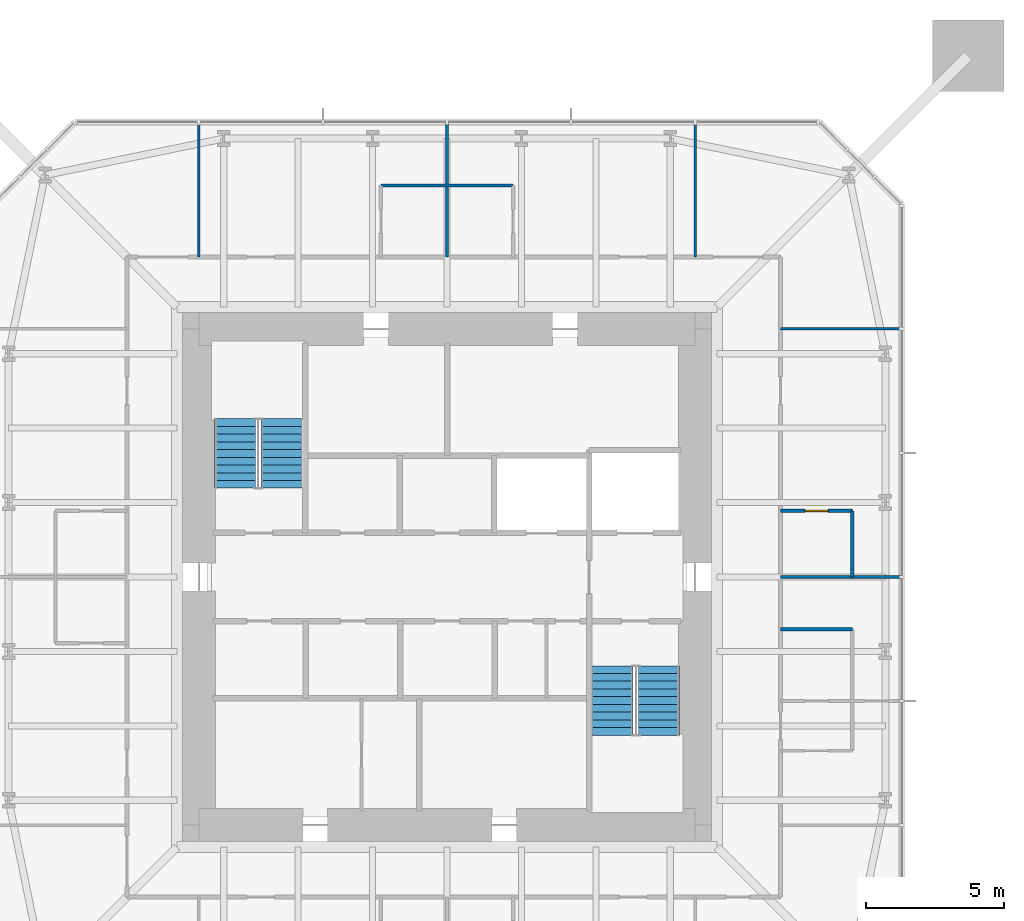
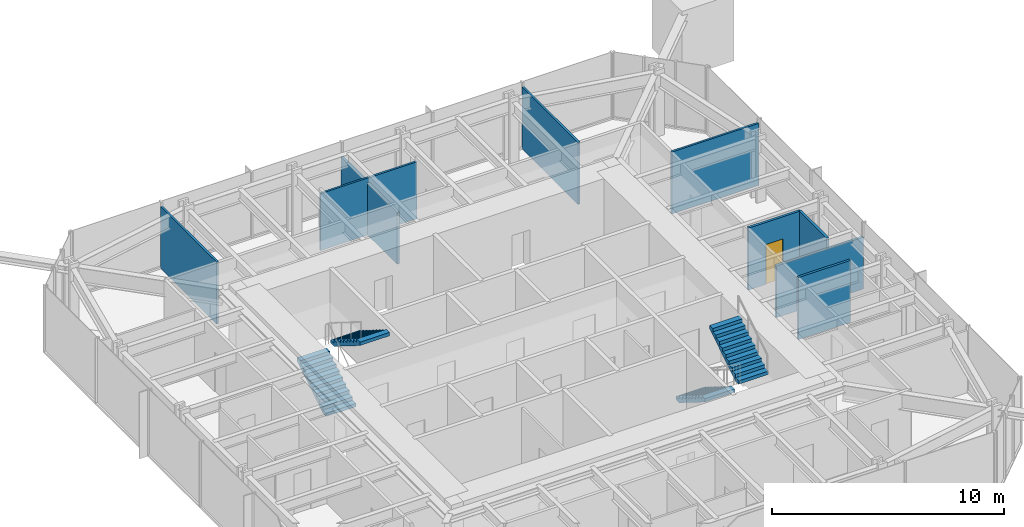
# One storey, part 8 of 9: 9 walls, 4 stair flights, 1 door, 1 opening, 2 elements without a shape of their own.
"""IFC4 building model written with IfcOpenShell, lengths in metres."""

from ifc_helpers import new_model, si_unit, direction, frame, frame_2d, origin, place, context, subcontext, project, spatial, polyline, rectangle, outline, extrude, material, layer, layer_set, constituent, constituent_set, type_object, element, fill, aggregate, save


model = new_model("IFC4")

# Units and contexts
model_context = context("Model", 3, precision=1e-05, world=origin(), true_north=direction((0.0, 1.0)))
body_context = subcontext(model_context, "Body", "Model", "MODEL_VIEW")
ifc_project = project(units=[si_unit("LENGTHUNIT", "METRE"), si_unit("AREAUNIT", "SQUARE_METRE"), si_unit("VOLUMEUNIT", "CUBIC_METRE"), si_unit("PLANEANGLEUNIT", "RADIAN"), si_unit("MASSUNIT", "GRAM", prefix="KILO")], contexts=[model_context])

# Site, building, storey
site_placement = place(None, origin())
site = spatial("IfcSite", under=ifc_project, at=site_placement, CompositionType="ELEMENT")
building_placement = place(site_placement, origin())
building = spatial("IfcBuilding", under=site, at=building_placement, Name="Iwan Alto Co-Living Towers", CompositionType="ELEMENT")
storey_placement = place(building_placement, frame((0.0, 0.0, 250.0)))
storey = spatial("IfcBuildingStorey", under=building, at=storey_placement, Name="L68", CompositionType="ELEMENT", Elevation=250.0)

# Walls
ifc_material_1 = material(Name="Gypsum board")
ifc_layer_1 = layer(ifc_material_1, 0.012451171875, Name="Board", Category="Finish")
ifc_material_2 = material(Name="Steel ASTM A1003 ST33H cold-formed studs", Category="steel")
ifc_layer_2 = layer(ifc_material_2, 0.074951171875, Name="Studs", Category="Framing")
ifc_layer_3 = layer(ifc_material_1, 0.012451171875, Name="Board", Category="Finish")
ifc_layer_set_1 = layer_set([ifc_layer_1, ifc_layer_2, ifc_layer_3], Name="PARTITION 100")
wall_type_1 = type_object("IfcWallType", Name="PARTITION 100", PredefinedType="PARTITIONING", material=ifc_layer_set_1)
wall_1_placement = place(storey_placement, frame((12.10009765625, 9.0, 0.0), z_axis=(0.0, 0.0, 1.0), x_axis=(1.0, 0.0, 0.0)))
element("IfcWall", 1, at=wall_1_placement, inside=storey, type_object=wall_type_1, Name="Partition L68", PredefinedType="PARTITIONING", context=body_context, shape_type="SweptSolid", body=[
    extrude(rectangle(XDim=4.33984375, YDim=0.10009765625, at=frame_2d((2.169921875, 0.0))), origin(), (0.0, 0.0, 1.0), 3.27001953125),
])
wall_2_placement = place(storey_placement, frame((-2.39990234375, 14.199951171875, 0.0), z_axis=(0.0, 0.0, 1.0), x_axis=(1.0, 0.0, 0.0)))
element("IfcWall", 2, at=wall_2_placement, inside=storey, type_object=wall_type_1, Name="Partition L68", PredefinedType="PARTITIONING", context=body_context, shape_type="SweptSolid", body=[
    extrude(rectangle(XDim=4.7998046875, YDim=0.10009765625, at=frame_2d((2.39990234375, 0.0))), origin(), (0.0, 0.0, 1.0), 3.0),
])
for number, where, z_axis, x_axis, name in (
    (3, (9.0, 11.60009765625, 0.0), (0.0, 0.0, 1.0), (0.0, 1.0, 0.0), "Partition L68"),
    (4, (-9.0, 11.60009765625, 0.0), (0.0, 0.0, 1.0), (0.0, 1.0, 0.0), "Partition L68"),
):
    element("IfcWall", number, at=place(storey_placement, frame(where, z_axis=z_axis, x_axis=x_axis)), inside=storey, type_object=wall_type_1, Name=name, PredefinedType="PARTITIONING", context=body_context, shape_type="SweptSolid", body=[
        extrude(rectangle(XDim=4.83984375, YDim=0.10009765625, at=frame_2d((2.419921875, 0.0))), origin(), (0.0, 0.0, 1.0), 3.27001953125),
    ])
ifc_material_3 = material(Name="Cement board")
ifc_layer_4 = layer(ifc_material_3, 0.012451171875, Name="Board", Category="Finish")
ifc_layer_5 = layer(ifc_material_2, 0.094970703125, Name="Studs", Category="Framing")
ifc_layer_6 = layer(ifc_material_3, 0.012451171875, Name="Board", Category="Finish")
ifc_layer_set_2 = layer_set([ifc_layer_4, ifc_layer_5, ifc_layer_6], Name="WET AREA PARTITION 120")
wall_type_2 = type_object("IfcWallType", Name="WET AREA PARTITION 120", PredefinedType="PARTITIONING", material=ifc_layer_set_2)
wall_3_placement = place(storey_placement, frame((12.10009765625, -1.89990234375, 0.0), z_axis=(0.0, 0.0, 1.0), x_axis=(1.0, 0.0, 0.0)))
element("IfcWall", 5, at=wall_3_placement, inside=storey, type_object=wall_type_2, Name="Partition L68", PredefinedType="PARTITIONING", context=body_context, shape_type="SweptSolid", body=[
    extrude(rectangle(XDim=2.599853515625, YDim=0.1201171875, at=frame_2d((1.2998046875, 0.0))), origin(), (0.0, 0.0, 1.0), 3.27001953125),
])
wall_4_placement = place(storey_placement, frame((12.10009765625, 0.0, 0.0), z_axis=(0.0, 0.0, 1.0), x_axis=(1.0, 0.0, 0.0)))
element("IfcWall", 6, at=wall_4_placement, inside=storey, type_object=wall_type_2, Name="Partition L68", PredefinedType="PARTITIONING", context=body_context, shape_type="SweptSolid", body=[
    extrude(rectangle(XDim=4.33984375, YDim=0.1201171875, at=frame_2d((2.169921875, 0.0))), origin(), (0.0, 0.0, 1.0), 2.736572265625),
])

# Wall, opening, door
wall_5_placement = place(storey_placement, frame((12.10009765625, 2.39990234375, 0.0), z_axis=(0.0, 0.0, 1.0), x_axis=(1.0, 0.0, 0.0)))
wall_5 = element("IfcWall", 7, at=wall_5_placement, inside=storey, type_object=wall_type_2, Name="Partition L68", PredefinedType="PARTITIONING", context=body_context, shape_type="SweptSolid", body=[
    extrude(rectangle(XDim=2.599853515625, YDim=0.1201171875, at=frame_2d((1.2998046875, 0.0))), origin(), (0.0, 0.0, 1.0), 3.27001953125),
])
opening_placement = place(wall_5_placement, frame((0.875, 0.0, 0.0)))
opening = element("IfcOpeningElement", 8, at=opening_placement, cuts=wall_5, Name="Opening D2", PredefinedType="OPENING", context=body_context, shape_type="SweptSolid", body=[
    extrude(rectangle(XDim=0.85009765625, YDim=2.10009765625, at=frame_2d((0.425048828125, 1.050048828125))), frame((0.0, 0.070068359375, 0.0), z_axis=(0.0, -1.0, 0.0), x_axis=(1.0, 0.0, 0.0)), (0.0, 0.0, 1.0), 0.14013671875),
])
ifc_material_4 = material(Name="Timber leaf in steel frame", Category="steel")
door_type = type_object("IfcDoorType", Name="ROOM DOOR 850X2100", OperationType="SINGLE_SWING_LEFT", PredefinedType="DOOR", material=ifc_material_4)
door_placement = place(opening_placement, origin())
door = element("IfcDoor", 9, at=door_placement, inside=storey, type_object=door_type, Name="En-suite shower room door L68", OperationType="SINGLE_SWING_LEFT", OverallHeight=2.10009765625, OverallWidth=0.85009765625, PredefinedType="DOOR", context=body_context, shape_type="SweptSolid", body=[
    extrude(rectangle(XDim=0.85009765625, YDim=2.10009765625, at=frame_2d((0.425048828125, 1.050048828125))), frame((0.0, 0.02490234375, 0.0), z_axis=(0.0, -1.0, 0.0), x_axis=(1.0, 0.0, 0.0)), (0.0, 0.0, 1.0), 0.050048828125),
])
fill(opening, door)

# Walls
wall_6_placement = place(storey_placement, frame((14.699951171875, 0.0, 0.0), z_axis=(0.0, 0.0, 1.0), x_axis=(0.0, 1.0, 0.0)))
element("IfcWall", 10, at=wall_6_placement, inside=storey, type_object=wall_type_2, Name="Partition L68", PredefinedType="PARTITIONING", context=body_context, shape_type="SweptSolid", body=[
    extrude(rectangle(XDim=2.39990234375, YDim=0.1201171875, at=frame_2d((1.199951171875, 0.0))), origin(), (0.0, 0.0, 1.0), 3.27001953125),
])
wall_7_placement = place(storey_placement, frame((0.0, 11.60009765625, 0.0), z_axis=(0.0, 0.0, 1.0), x_axis=(0.0, 1.0, 0.0)))
element("IfcWall", 11, at=wall_7_placement, inside=storey, type_object=wall_type_2, Name="Partition L68", PredefinedType="PARTITIONING", context=body_context, shape_type="SweptSolid", body=[
    extrude(rectangle(XDim=4.83984375, YDim=0.1201171875, at=frame_2d((2.419921875, 0.0))), origin(), (0.0, 0.0, 1.0), 2.736572265625),
])

# Stair, stair flights
ifc_material_5 = material(Name="Steel ASTM A36", Category="steel")
ifc_constituent_1 = constituent(ifc_material_5, Name="Stringers", Category="LoadBearing")
ifc_material_6 = material(Name="Concrete f'c 30 MPa", Category="concrete")
ifc_constituent_2 = constituent(ifc_material_6, Name="Tread fill", Category="Finish")
ifc_constituent_set_1 = constituent_set(constituents=[ifc_constituent_1, ifc_constituent_2], Name="STAIR 3500 TWO-FLIGHT T1 CORE")
stair_type = type_object("IfcStairType", Name="STAIR 3500 TWO-FLIGHT T1 CORE", PredefinedType="HALF_TURN_STAIR", material=ifc_constituent_set_1)
stair_1_placement = place(storey_placement, origin())
stair_1 = element("IfcStair", 12, at=stair_1_placement, inside=storey, type_object=stair_type, Name="Stair T1-S1 L68 to L69", PredefinedType="HALF_TURN_STAIR")
ifc_constituent_3 = constituent(ifc_material_5, Name="Stringers", Category="LoadBearing")
ifc_constituent_4 = constituent(ifc_material_6, Name="Tread fill", Category="Finish")
ifc_constituent_set_2 = constituent_set(constituents=[ifc_constituent_3, ifc_constituent_4], Name="STAIR FLIGHT 10 RISERS 280 GOING")
stair_flight_type = type_object("IfcStairFlightType", Name="STAIR FLIGHT 10 RISERS 280 GOING", PredefinedType="STRAIGHT", material=ifc_constituent_set_2)
stair_flight_1_placement = place(storey_placement, frame((-7.68994140625, 3.219970703125, 0.0), z_axis=(0.0, 0.0, 1.0), x_axis=(0.0, 1.0, 0.0)))
stair_flight_1 = element("IfcStairFlight", 13, at=stair_flight_1_placement, type_object=stair_flight_type, Name="T1-S1 flight 1", NumberOfRisers=10, NumberOfTreads=9, PredefinedType="STRAIGHT", RiserHeight=0.175, TreadLength=0.28, context=body_context, shape_type="SweptSolid", body=[
    extrude(outline(polyline([(0.0, 0.0), (0.0, 0.175048828125), (0.280029296875, 0.175048828125), (0.280029296875, 0.35009765625), (0.56005859375, 0.35009765625), (0.56005859375, 0.52490234375), (0.840087890625, 0.52490234375), (0.840087890625, 0.699951171875), (1.1201171875, 0.699951171875), (1.1201171875, 0.875), (1.39990234375, 0.875), (1.39990234375, 1.050048828125), (1.679931640625, 1.050048828125), (1.679931640625, 1.22509765625), (1.9599609375, 1.22509765625), (1.9599609375, 1.39990234375), (2.239990234375, 1.39990234375), (2.239990234375, 1.574951171875), (2.52001953125, 1.574951171875), (2.52001953125, 1.75), (2.52001953125, 1.398193359375), (0.28271484375, 0.0), (0.0, 0.0)])), frame((0.0, 0.739990234375, 0.0), z_axis=(0.0, -1.0, 0.0), x_axis=(1.0, 0.0, 0.0)), (0.0, 0.0, 1.0), 1.47998046875),
])
stair_flight_2_placement = place(storey_placement, frame((-6.010009765625, 5.739990234375, 1.75), z_axis=(0.0, 0.0, 1.0), x_axis=(0.0, -1.0, 0.0)))
stair_flight_2 = element("IfcStairFlight", 14, at=stair_flight_2_placement, type_object=stair_flight_type, Name="T1-S1 flight 2", NumberOfRisers=10, NumberOfTreads=9, PredefinedType="STRAIGHT", RiserHeight=0.175, TreadLength=0.28, context=body_context, shape_type="SweptSolid", body=[
    extrude(outline(polyline([(0.0, 0.0), (0.0, 0.175048828125), (0.280029296875, 0.175048828125), (0.280029296875, 0.35009765625), (0.56005859375, 0.35009765625), (0.56005859375, 0.52490234375), (0.840087890625, 0.52490234375), (0.840087890625, 0.699951171875), (1.1201171875, 0.699951171875), (1.1201171875, 0.875), (1.39990234375, 0.875), (1.39990234375, 1.050048828125), (1.679931640625, 1.050048828125), (1.679931640625, 1.22509765625), (1.9599609375, 1.22509765625), (1.9599609375, 1.39990234375), (2.239990234375, 1.39990234375), (2.239990234375, 1.574951171875), (2.52001953125, 1.574951171875), (2.52001953125, 1.75), (2.52001953125, 1.398193359375), (0.28271484375, 0.0), (0.0, 0.0)])), frame((0.0, 0.739990234375, 0.0), z_axis=(0.0, -1.0, 0.0), x_axis=(1.0, 0.0, 0.0)), (0.0, 0.0, 1.0), 1.47998046875),
])
aggregate(stair_1, [stair_flight_1, stair_flight_2])

stair_2_placement = place(storey_placement, origin())
stair_2 = element("IfcStair", 15, at=stair_2_placement, inside=storey, type_object=stair_type, Name="Stair T1-S2 L68 to L69", PredefinedType="HALF_TURN_STAIR")
stair_flight_3_placement = place(storey_placement, frame((6.010009765625, -3.219970703125, 0.0), z_axis=(0.0, 0.0, 1.0), x_axis=(0.0, -1.0, 0.0)))
stair_flight_3 = element("IfcStairFlight", 16, at=stair_flight_3_placement, type_object=stair_flight_type, Name="T1-S2 flight 1", NumberOfRisers=10, NumberOfTreads=9, PredefinedType="STRAIGHT", RiserHeight=0.175, TreadLength=0.28, context=body_context, shape_type="SweptSolid", body=[
    extrude(outline(polyline([(0.0, 0.0), (0.0, 0.175048828125), (0.280029296875, 0.175048828125), (0.280029296875, 0.35009765625), (0.56005859375, 0.35009765625), (0.56005859375, 0.52490234375), (0.840087890625, 0.52490234375), (0.840087890625, 0.699951171875), (1.1201171875, 0.699951171875), (1.1201171875, 0.875), (1.39990234375, 0.875), (1.39990234375, 1.050048828125), (1.679931640625, 1.050048828125), (1.679931640625, 1.22509765625), (1.9599609375, 1.22509765625), (1.9599609375, 1.39990234375), (2.239990234375, 1.39990234375), (2.239990234375, 1.574951171875), (2.52001953125, 1.574951171875), (2.52001953125, 1.75), (2.52001953125, 1.398193359375), (0.28271484375, 0.0), (0.0, 0.0)])), frame((0.0, 0.739990234375, 0.0), z_axis=(0.0, -1.0, 0.0), x_axis=(1.0, 0.0, 0.0)), (0.0, 0.0, 1.0), 1.47998046875),
])
stair_flight_4_placement = place(storey_placement, frame((7.68994140625, -5.739990234375, 1.75), z_axis=(0.0, 0.0, 1.0), x_axis=(0.0, 1.0, 0.0)))
stair_flight_4 = element("IfcStairFlight", 17, at=stair_flight_4_placement, type_object=stair_flight_type, Name="T1-S2 flight 2", NumberOfRisers=10, NumberOfTreads=9, PredefinedType="STRAIGHT", RiserHeight=0.175, TreadLength=0.28, context=body_context, shape_type="SweptSolid", body=[
    extrude(outline(polyline([(0.0, 0.0), (0.0, 0.175048828125), (0.280029296875, 0.175048828125), (0.280029296875, 0.35009765625), (0.56005859375, 0.35009765625), (0.56005859375, 0.52490234375), (0.840087890625, 0.52490234375), (0.840087890625, 0.699951171875), (1.1201171875, 0.699951171875), (1.1201171875, 0.875), (1.39990234375, 0.875), (1.39990234375, 1.050048828125), (1.679931640625, 1.050048828125), (1.679931640625, 1.22509765625), (1.9599609375, 1.22509765625), (1.9599609375, 1.39990234375), (2.239990234375, 1.39990234375), (2.239990234375, 1.574951171875), (2.52001953125, 1.574951171875), (2.52001953125, 1.75), (2.52001953125, 1.398193359375), (0.28271484375, 0.0), (0.0, 0.0)])), frame((0.0, 0.739990234375, 0.0), z_axis=(0.0, -1.0, 0.0), x_axis=(1.0, 0.0, 0.0)), (0.0, 0.0, 1.0), 1.47998046875),
])
aggregate(stair_2, [stair_flight_3, stair_flight_4])

save(model, "model.ifc")
